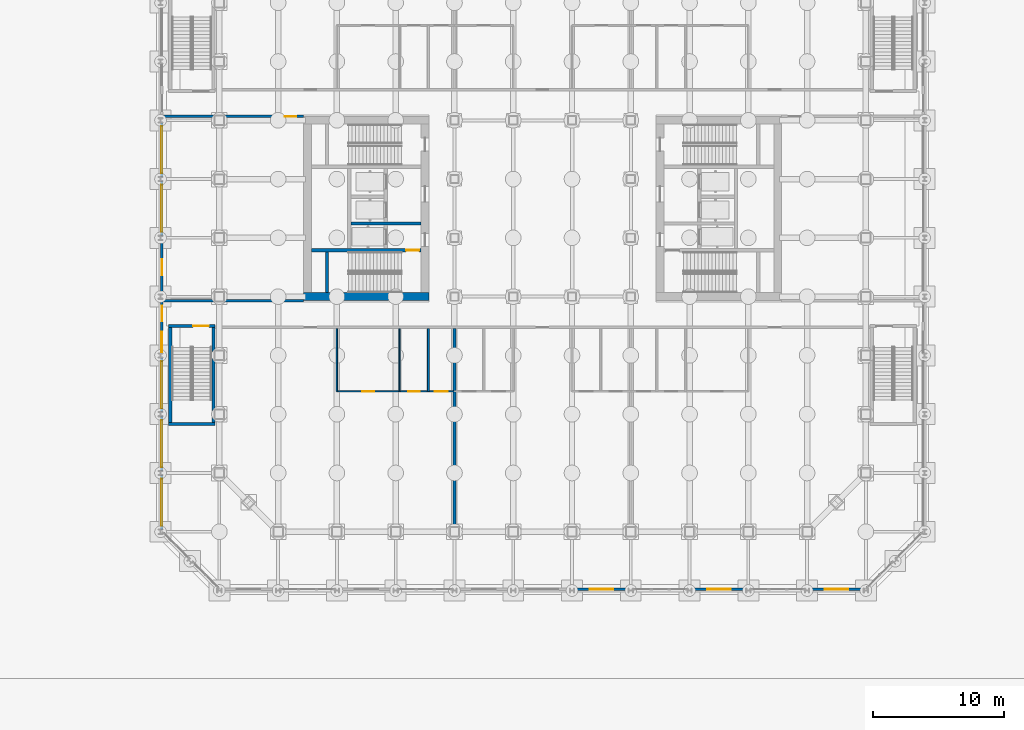
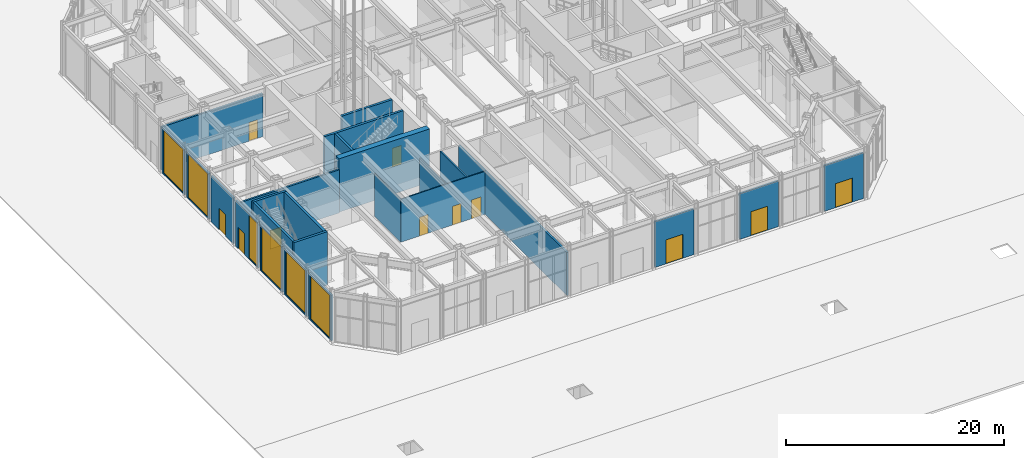
# One storey, part 18 of 39: 25 walls, 11 doors, 6 windows, 17 openings.
"""IFC4 building model written with IfcOpenShell, lengths in metres."""

from ifc_helpers import new_model, si_unit, direction, frame, frame_2d, origin, place, context, subcontext, project, spatial, rectangle, extrude, material, layer, layer_set, type_object, element, fill, save


model = new_model("IFC4")

# Units and contexts
model_context = context("Model", 3, precision=1e-05, world=origin(), true_north=direction((0.0, 1.0)))
body_context = subcontext(model_context, "Body", "Model", "MODEL_VIEW")
ifc_project = project(units=[si_unit("LENGTHUNIT", "METRE"), si_unit("AREAUNIT", "SQUARE_METRE"), si_unit("VOLUMEUNIT", "CUBIC_METRE"), si_unit("PLANEANGLEUNIT", "RADIAN"), si_unit("MASSUNIT", "GRAM", prefix="KILO")], contexts=[model_context])

# Site, building, storey
site_placement = place(None, origin())
site = spatial("IfcSite", under=ifc_project, at=site_placement, CompositionType="ELEMENT")
building_placement = place(site_placement, origin())
building = spatial("IfcBuilding", under=site, at=building_placement, Name="Msasa Ring Tower", CompositionType="ELEMENT")
storey_placement = place(building_placement, origin())
storey = spatial("IfcBuildingStorey", under=building, at=storey_placement, Name="L00", CompositionType="ELEMENT", Elevation=0.0)

# Wall
ifc_material_1 = material(Name="Concrete C60/75", Category="concrete")
ifc_layer_1 = layer(ifc_material_1, 0.60009765625)
ifc_layer_set_1 = layer_set([ifc_layer_1], Name="CW1 CORE WALL 600")
wall_type_1 = type_object("IfcWallType", Name="CW1 CORE WALL 600", PredefinedType="SHEAR", material=ifc_layer_set_1)
wall_1_placement = place(storey_placement, frame((-8.699951171875, -6.75, 0.0), z_axis=(0.0, 0.0, 1.0), x_axis=(-1.0, 0.0, 0.0)))
element("IfcWall", 1, at=wall_1_placement, inside=storey, type_object=wall_type_1, Name="W core wall S L00", PredefinedType="SHEAR", context=body_context, shape_type="SweptSolid", body=[
    extrude(rectangle(XDim=9.60009765625, YDim=0.60009765625, at=frame_2d((4.800048828125, 0.0))), origin(), (0.0, 0.0, 1.0), 6.0),
])

# Wall, opening, door
ifc_material_2 = material(Name="Concrete C60/75", Category="concrete")
ifc_layer_2 = layer(ifc_material_2, 0.25)
ifc_layer_set_2 = layer_set([ifc_layer_2], Name="CW4 CORE INNER WALL 250")
wall_type_2 = type_object("IfcWallType", Name="CW4 CORE INNER WALL 250", PredefinedType="SHEAR", material=ifc_layer_set_2)
wall_2_placement = place(storey_placement, frame((-9.300048828125, -3.199951171875, 0.0), z_axis=(0.0, 0.0, 1.0), x_axis=(-1.0, 0.0, 0.0)))
wall_2 = element("IfcWall", 2, at=wall_2_placement, inside=storey, type_object=wall_type_2, Name="W core wall STAIRA L00", PredefinedType="SHEAR", context=body_context, shape_type="SweptSolid", body=[
    extrude(rectangle(XDim=8.39990234375, YDim=0.25, at=frame_2d((4.199951171875, 0.0))), origin(), (0.0, 0.0, 1.0), 6.0),
])
opening_1_placement = place(wall_2_placement, frame((0.14990234375, 0.0, 0.0)))
opening_1 = element("IfcOpeningElement", 3, at=opening_1_placement, cuts=wall_2, Name="Opening L00-032", PredefinedType="OPENING", context=body_context, shape_type="SweptSolid", body=[
    extrude(rectangle(XDim=1.0, YDim=2.10009765625, at=frame_2d((0.5, 1.050048828125))), frame((0.0, 0.135009765625, 0.0), z_axis=(0.0, -1.0, 0.0), x_axis=(1.0, 0.0, 0.0)), (0.0, 0.0, 1.0), 0.27001953125),
])
ifc_material_3 = material(Name="Timber door leaf in a steel frame", Category="steel")
door_type_1 = type_object("IfcDoorType", Name="D6 STAIR DOOR 1000x2100", OperationType="SINGLE_SWING_LEFT", PredefinedType="DOOR", material=ifc_material_3)
door_1_placement = place(opening_1_placement, origin())
door_1 = element("IfcDoor", 4, at=door_1_placement, inside=storey, type_object=door_type_1, Name="Door L00-WSTA", OperationType="SINGLE_SWING_LEFT", OverallHeight=2.10009765625, OverallWidth=1.0, PredefinedType="DOOR", context=body_context, shape_type="SweptSolid", body=[
    extrude(rectangle(XDim=1.0, YDim=2.10009765625, at=frame_2d((0.5, 1.050048828125))), frame((0.0, 0.02490234375, 0.0), z_axis=(0.0, -1.0, 0.0), x_axis=(1.0, 0.0, 0.0)), (0.0, 0.0, 1.0), 0.050048828125),
])
fill(opening_1, door_1)

# Walls
wall_3_placement = place(storey_placement, frame((-16.5, -6.449951171875, 0.0), z_axis=(0.0, 0.0, 1.0), x_axis=(0.0, 1.0, 0.0)))
element("IfcWall", 5, at=wall_3_placement, inside=storey, type_object=wall_type_2, Name="W core wall RISERA L00", PredefinedType="SHEAR", context=body_context, shape_type="SweptSolid", body=[
    extrude(rectangle(XDim=3.125, YDim=0.25, at=frame_2d((1.5625, 0.0))), origin(), (0.0, 0.0, 1.0), 6.0),
])
wall_4_placement = place(storey_placement, frame((-9.300048828125, -1.14990234375, 0.0), z_axis=(0.0, 0.0, 1.0), x_axis=(-1.0, 0.0, 0.0)))
element("IfcWall", 6, at=wall_4_placement, inside=storey, type_object=wall_type_2, Name="W core wall FFL L00", PredefinedType="SHEAR", context=body_context, shape_type="SweptSolid", body=[
    extrude(rectangle(XDim=5.375, YDim=0.25, at=frame_2d((2.6875, 0.0))), origin(), (0.0, 0.0, 1.0), 6.0),
])

# Wall, opening, door
ifc_material_4 = material(Name="Terracotta rainscreen on blockwork", Category="masonry")
ifc_layer_3 = layer(ifc_material_4, 0.199951171875)
ifc_layer_set_3 = layer_set([ifc_layer_3], Name="FW2 TERRACOTTA PODIUM BAY WALL 200")
wall_type_3 = type_object("IfcWallType", Name="FW2 TERRACOTTA PODIUM BAY WALL 200", PredefinedType="SOLIDWALL", material=ifc_layer_set_3)
wall_5_placement = place(storey_placement, frame((2.437744140625, -29.14990234375, 0.0), z_axis=(0.0, 0.0, 1.0), x_axis=(1.0, 0.0, 0.0)))
wall_5 = element("IfcWall", 7, at=wall_5_placement, inside=storey, type_object=wall_type_3, Name="Podium bay wall S L00 06", PredefinedType="SOLIDWALL", context=body_context, shape_type="SweptSolid", body=[
    extrude(rectangle(XDim=4.124755859375, YDim=0.199951171875, at=frame_2d((2.0625, 0.0))), origin(), (0.0, 0.0, 1.0), 5.1328125),
])
opening_2_placement = place(wall_5_placement, frame((1.162353515625, 0.0, 0.0)))
opening_2 = element("IfcOpeningElement", 8, at=opening_2_placement, cuts=wall_5, Name="Opening L00-056", PredefinedType="OPENING", context=body_context, shape_type="SweptSolid", body=[
    extrude(rectangle(XDim=1.800048828125, YDim=2.699951171875, at=frame_2d((0.89990234375, 1.35009765625))), frame((0.0, 0.10986328125, 0.0), z_axis=(0.0, -1.0, 0.0), x_axis=(1.0, 0.0, 0.0)), (0.0, 0.0, 1.0), 0.219970703125),
])
ifc_material_5 = material(Name="Aluminium frame with clear glass", Category="aluminium")
door_type_2 = type_object("IfcDoorType", Name="ED11 EXTERNAL LOBBY ENTRANCE DOOR 1800x2700", OperationType="DOUBLE_DOOR_SINGLE_SWING", PredefinedType="DOOR", material=ifc_material_5)
door_2_placement = place(opening_2_placement, origin())
door_2 = element("IfcDoor", 9, at=door_2_placement, inside=storey, type_object=door_type_2, Name="External lobby entrance door S L00", OperationType="DOUBLE_DOOR_SINGLE_SWING", OverallHeight=2.699951171875, OverallWidth=1.800048828125, PredefinedType="DOOR", context=body_context, shape_type="SweptSolid", body=[
    extrude(rectangle(XDim=1.800048828125, YDim=2.699951171875, at=frame_2d((0.89990234375, 1.35009765625))), frame((0.0, 0.02490234375, 0.0), z_axis=(0.0, -1.0, 0.0), x_axis=(1.0, 0.0, 0.0)), (0.0, 0.0, 1.0), 0.050048828125),
])
fill(opening_2, door_2)

wall_6_placement = place(storey_placement, frame((11.4375, -29.14990234375, 0.0), z_axis=(0.0, 0.0, 1.0), x_axis=(1.0, 0.0, 0.0)))
wall_6 = element("IfcWall", 10, at=wall_6_placement, inside=storey, type_object=wall_type_3, Name="Podium bay wall S L00 08", PredefinedType="SOLIDWALL", context=body_context, shape_type="SweptSolid", body=[
    extrude(rectangle(XDim=4.125, YDim=0.199951171875, at=frame_2d((2.0625, 0.0))), origin(), (0.0, 0.0, 1.0), 5.1328125),
])
opening_3_placement = place(wall_6_placement, frame((1.162353515625, 0.0, 0.0)))
opening_3 = element("IfcOpeningElement", 11, at=opening_3_placement, cuts=wall_6, Name="Opening L00-057", PredefinedType="OPENING", context=body_context, shape_type="SweptSolid", body=[
    extrude(rectangle(XDim=1.800048828125, YDim=2.699951171875, at=frame_2d((0.89990234375, 1.35009765625))), frame((0.0, 0.10986328125, 0.0), z_axis=(0.0, -1.0, 0.0), x_axis=(1.0, 0.0, 0.0)), (0.0, 0.0, 1.0), 0.219970703125),
])
ifc_material_6 = material(Name="Aluminium frame with clear glass", Category="aluminium")
door_type_3 = type_object("IfcDoorType", Name="ED6 RETAIL ENTRANCE DOOR 1800x2700", OperationType="DOUBLE_DOOR_SINGLE_SWING", PredefinedType="DOOR", material=ifc_material_6)
door_3_placement = place(opening_3_placement, origin())
door_3 = element("IfcDoor", 12, at=door_3_placement, inside=storey, type_object=door_type_3, Name="Retail entrance door S L00", OperationType="DOUBLE_DOOR_SINGLE_SWING", OverallHeight=2.699951171875, OverallWidth=1.800048828125, PredefinedType="DOOR", context=body_context, shape_type="SweptSolid", body=[
    extrude(rectangle(XDim=1.800048828125, YDim=2.699951171875, at=frame_2d((0.89990234375, 1.35009765625))), frame((0.0, 0.02490234375, 0.0), z_axis=(0.0, -1.0, 0.0), x_axis=(1.0, 0.0, 0.0)), (0.0, 0.0, 1.0), 0.050048828125),
])
fill(opening_3, door_3)

wall_7_placement = place(storey_placement, frame((20.437744140625, -29.14990234375, 0.0), z_axis=(0.0, 0.0, 1.0), x_axis=(1.0, 0.0, 0.0)))
wall_7 = element("IfcWall", 13, at=wall_7_placement, inside=storey, type_object=wall_type_3, Name="Podium bay wall S L00 10", PredefinedType="SOLIDWALL", context=body_context, shape_type="SweptSolid", body=[
    extrude(rectangle(XDim=4.12451171875, YDim=0.199951171875, at=frame_2d((2.062255859375, 0.0))), origin(), (0.0, 0.0, 1.0), 5.1328125),
])
opening_4_placement = place(wall_7_placement, frame((1.162353515625, 0.0, 0.0)))
opening_4 = element("IfcOpeningElement", 14, at=opening_4_placement, cuts=wall_7, Name="Opening L00-058", PredefinedType="OPENING", context=body_context, shape_type="SweptSolid", body=[
    extrude(rectangle(XDim=1.800048828125, YDim=2.699951171875, at=frame_2d((0.89990234375, 1.35009765625))), frame((0.0, 0.10986328125, 0.0), z_axis=(0.0, -1.0, 0.0), x_axis=(1.0, 0.0, 0.0)), (0.0, 0.0, 1.0), 0.219970703125),
])
door_4_placement = place(opening_4_placement, origin())
door_4 = element("IfcDoor", 15, at=door_4_placement, inside=storey, type_object=door_type_3, Name="Retail entrance door S L00", OperationType="DOUBLE_DOOR_SINGLE_SWING", OverallHeight=2.699951171875, OverallWidth=1.800048828125, PredefinedType="DOOR", context=body_context, shape_type="SweptSolid", body=[
    extrude(rectangle(XDim=1.800048828125, YDim=2.699951171875, at=frame_2d((0.89990234375, 1.35009765625))), frame((0.0, 0.02490234375, 0.0), z_axis=(0.0, -1.0, 0.0), x_axis=(1.0, 0.0, 0.0)), (0.0, 0.0, 1.0), 0.050048828125),
])
fill(opening_4, door_4)

# Wall, opening, window
wall_8_placement = place(storey_placement, frame((-29.14990234375, -24.562255859375, 0.0), z_axis=(0.0, 0.0, 1.0), x_axis=(0.0, 1.0, 0.0)))
wall_8 = element("IfcWall", 16, at=wall_8_placement, inside=storey, type_object=wall_type_3, Name="Podium bay wall W L00 39", PredefinedType="SOLIDWALL", context=body_context, shape_type="SweptSolid", body=[
    extrude(rectangle(XDim=4.12451171875, YDim=0.199951171875, at=frame_2d((2.062255859375, 0.0))), origin(), (0.0, 0.0, 1.0), 5.1328125),
])
opening_5_placement = place(wall_8_placement, frame((0.26220703125, 0.0, 0.14990234375)))
opening_5 = element("IfcOpeningElement", 17, at=opening_5_placement, cuts=wall_8, Name="Opening SF1", PredefinedType="OPENING", context=body_context, shape_type="SweptSolid", body=[
    extrude(rectangle(XDim=3.60009765625, YDim=4.8330078125, at=frame_2d((1.800048828125, 2.41650390625))), frame((0.0, 0.10986328125, 0.0), z_axis=(0.0, -1.0, 0.0), x_axis=(1.0, 0.0, 0.0)), (0.0, 0.0, 1.0), 0.219970703125),
])
ifc_material_7 = material(Name="Aluminium frame with clear glass", Category="aluminium")
window_type_1 = type_object("IfcWindowType", Name="SF1 SHOPFRONT GLAZING 3600x4833", PartitioningType="SINGLE_PANEL", PredefinedType="WINDOW", material=ifc_material_7)
window_1_placement = place(opening_5_placement, origin())
window_1 = element("IfcWindow", 18, at=window_1_placement, inside=storey, type_object=window_type_1, Name="Shopfront glazing W L00 39", OverallHeight=4.8330078125, OverallWidth=3.60009765625, PartitioningType="SINGLE_PANEL", PredefinedType="WINDOW", context=body_context, shape_type="SweptSolid", body=[
    extrude(rectangle(XDim=3.60009765625, YDim=4.8330078125, at=frame_2d((1.800048828125, 2.41650390625))), frame((0.0, 0.030029296875, 0.0), z_axis=(0.0, -1.0, 0.0), x_axis=(1.0, 0.0, 0.0)), (0.0, 0.0, 1.0), 0.06005859375),
])
fill(opening_5, window_1)

wall_9_placement = place(storey_placement, frame((-29.14990234375, -20.062255859375, 0.0), z_axis=(0.0, 0.0, 1.0), x_axis=(0.0, 1.0, 0.0)))
wall_9 = element("IfcWall", 19, at=wall_9_placement, inside=storey, type_object=wall_type_3, Name="Podium bay wall W L00 40", PredefinedType="SOLIDWALL", context=body_context, shape_type="SweptSolid", body=[
    extrude(rectangle(XDim=4.124755859375, YDim=0.199951171875, at=frame_2d((2.0625, 0.0))), origin(), (0.0, 0.0, 1.0), 5.1328125),
])
opening_6_placement = place(wall_9_placement, frame((0.26220703125, 0.0, 0.14990234375)))
opening_6 = element("IfcOpeningElement", 20, at=opening_6_placement, cuts=wall_9, Name="Opening SF1", PredefinedType="OPENING", context=body_context, shape_type="SweptSolid", body=[
    extrude(rectangle(XDim=3.60009765625, YDim=4.8330078125, at=frame_2d((1.800048828125, 2.41650390625))), frame((0.0, 0.10986328125, 0.0), z_axis=(0.0, -1.0, 0.0), x_axis=(1.0, 0.0, 0.0)), (0.0, 0.0, 1.0), 0.219970703125),
])
window_2_placement = place(opening_6_placement, origin())
window_2 = element("IfcWindow", 21, at=window_2_placement, inside=storey, type_object=window_type_1, Name="Shopfront glazing W L00 40", OverallHeight=4.8330078125, OverallWidth=3.60009765625, PartitioningType="SINGLE_PANEL", PredefinedType="WINDOW", context=body_context, shape_type="SweptSolid", body=[
    extrude(rectangle(XDim=3.60009765625, YDim=4.8330078125, at=frame_2d((1.800048828125, 2.41650390625))), frame((0.0, 0.030029296875, 0.0), z_axis=(0.0, -1.0, 0.0), x_axis=(1.0, 0.0, 0.0)), (0.0, 0.0, 1.0), 0.06005859375),
])
fill(opening_6, window_2)

wall_10_placement = place(storey_placement, frame((-29.14990234375, -15.5625, 0.0), z_axis=(0.0, 0.0, 1.0), x_axis=(0.0, 1.0, 0.0)))
wall_10 = element("IfcWall", 22, at=wall_10_placement, inside=storey, type_object=wall_type_3, Name="Podium bay wall W L00 41", PredefinedType="SOLIDWALL", context=body_context, shape_type="SweptSolid", body=[
    extrude(rectangle(XDim=4.125, YDim=0.199951171875, at=frame_2d((2.0625, 0.0))), origin(), (0.0, 0.0, 1.0), 5.1328125),
])
opening_7_placement = place(wall_10_placement, frame((0.262451171875, 0.0, 0.14990234375)))
opening_7 = element("IfcOpeningElement", 23, at=opening_7_placement, cuts=wall_10, Name="Opening SF1", PredefinedType="OPENING", context=body_context, shape_type="SweptSolid", body=[
    extrude(rectangle(XDim=3.60009765625, YDim=4.8330078125, at=frame_2d((1.800048828125, 2.41650390625))), frame((0.0, 0.10986328125, 0.0), z_axis=(0.0, -1.0, 0.0), x_axis=(1.0, 0.0, 0.0)), (0.0, 0.0, 1.0), 0.219970703125),
])
window_3_placement = place(opening_7_placement, origin())
window_3 = element("IfcWindow", 24, at=window_3_placement, inside=storey, type_object=window_type_1, Name="Shopfront glazing W L00 41", OverallHeight=4.8330078125, OverallWidth=3.60009765625, PartitioningType="SINGLE_PANEL", PredefinedType="WINDOW", context=body_context, shape_type="SweptSolid", body=[
    extrude(rectangle(XDim=3.60009765625, YDim=4.8330078125, at=frame_2d((1.800048828125, 2.41650390625))), frame((0.0, 0.030029296875, 0.0), z_axis=(0.0, -1.0, 0.0), x_axis=(1.0, 0.0, 0.0)), (0.0, 0.0, 1.0), 0.06005859375),
])
fill(opening_7, window_3)

# Wall, openings, door, window
wall_11_placement = place(storey_placement, frame((-29.14990234375, -11.0625, 0.0), z_axis=(0.0, 0.0, 1.0), x_axis=(0.0, 1.0, 0.0)))
wall_11 = element("IfcWall", 25, at=wall_11_placement, inside=storey, type_object=wall_type_3, Name="Podium bay wall W L00 42", PredefinedType="SOLIDWALL", context=body_context, shape_type="SweptSolid", body=[
    extrude(rectangle(XDim=4.125, YDim=0.199951171875, at=frame_2d((2.0625, 0.0))), origin(), (0.0, 0.0, 1.0), 5.1328125),
])
opening_8_placement = place(wall_11_placement, frame((2.412353515625, 0.0, 0.0)))
opening_8 = element("IfcOpeningElement", 26, at=opening_8_placement, cuts=wall_11, Name="Opening L00-035", PredefinedType="OPENING", context=body_context, shape_type="SweptSolid", body=[
    extrude(rectangle(XDim=1.199951171875, YDim=2.39990234375, at=frame_2d((0.60009765625, 1.199951171875))), frame((0.0, 0.10986328125, 0.0), z_axis=(0.0, -1.0, 0.0), x_axis=(1.0, 0.0, 0.0)), (0.0, 0.0, 1.0), 0.219970703125),
])
opening_9_placement = place(wall_11_placement, frame((0.012451171875, 0.0, 0.14990234375)))
opening_9 = element("IfcOpeningElement", 27, at=opening_9_placement, cuts=wall_11, Name="Opening SF5", PredefinedType="OPENING", context=body_context, shape_type="SweptSolid", body=[
    extrude(rectangle(XDim=1.60009765625, YDim=4.8330078125, at=frame_2d((0.800048828125, 2.41650390625))), frame((0.0, 0.10986328125, 0.0), z_axis=(0.0, -1.0, 0.0), x_axis=(1.0, 0.0, 0.0)), (0.0, 0.0, 1.0), 0.219970703125),
])
ifc_material_8 = material(Name="Aluminium frame with clear glass", Category="aluminium")
door_type_4 = type_object("IfcDoorType", Name="ED8 EXIT DOOR 1200x2400", OperationType="SINGLE_SWING_LEFT", PredefinedType="DOOR", material=ifc_material_8)
door_5_placement = place(opening_8_placement, origin())
door_5 = element("IfcDoor", 28, at=door_5_placement, inside=storey, type_object=door_type_4, Name="Exit door W L00", OperationType="SINGLE_SWING_RIGHT", OverallHeight=2.39990234375, OverallWidth=1.199951171875, PredefinedType="DOOR", context=body_context, shape_type="SweptSolid", body=[
    extrude(rectangle(XDim=1.199951171875, YDim=2.39990234375, at=frame_2d((0.60009765625, 1.199951171875))), frame((0.0, 0.02490234375, 0.0), z_axis=(0.0, -1.0, 0.0), x_axis=(1.0, 0.0, 0.0)), (0.0, 0.0, 1.0), 0.050048828125),
])
fill(opening_8, door_5)
ifc_material_9 = material(Name="Aluminium frame with clear glass", Category="aluminium")
window_type_2 = type_object("IfcWindowType", Name="SF5 SHOPFRONT SIDE GLAZING 1600x4833", PartitioningType="SINGLE_PANEL", PredefinedType="WINDOW", material=ifc_material_9)
window_4_placement = place(opening_9_placement, origin())
window_4 = element("IfcWindow", 29, at=window_4_placement, inside=storey, type_object=window_type_2, Name="Shopfront glazing W L00 42", OverallHeight=4.8330078125, OverallWidth=1.60009765625, PartitioningType="SINGLE_PANEL", PredefinedType="WINDOW", context=body_context, shape_type="SweptSolid", body=[
    extrude(rectangle(XDim=1.60009765625, YDim=4.8330078125, at=frame_2d((0.800048828125, 2.41650390625))), frame((0.0, 0.030029296875, 0.0), z_axis=(0.0, -1.0, 0.0), x_axis=(1.0, 0.0, 0.0)), (0.0, 0.0, 1.0), 0.06005859375),
])
fill(opening_9, window_4)

# Wall, opening, door
wall_12_placement = place(storey_placement, frame((-29.14990234375, -6.5625, 0.0), z_axis=(0.0, 0.0, 1.0), x_axis=(0.0, 1.0, 0.0)))
wall_12 = element("IfcWall", 30, at=wall_12_placement, inside=storey, type_object=wall_type_3, Name="Podium bay wall W L00 43", PredefinedType="SOLIDWALL", context=body_context, shape_type="SweptSolid", body=[
    extrude(rectangle(XDim=4.124755859375, YDim=0.199951171875, at=frame_2d((2.0625, 0.0))), origin(), (0.0, 0.0, 1.0), 5.1328125),
])
opening_10_placement = place(wall_12_placement, frame((1.46240234375, 0.0, 0.0)))
opening_10 = element("IfcOpeningElement", 31, at=opening_10_placement, cuts=wall_12, Name="Opening L00-034", PredefinedType="OPENING", context=body_context, shape_type="SweptSolid", body=[
    extrude(rectangle(XDim=1.199951171875, YDim=2.39990234375, at=frame_2d((0.60009765625, 1.199951171875))), frame((0.0, 0.10986328125, 0.0), z_axis=(0.0, -1.0, 0.0), x_axis=(1.0, 0.0, 0.0)), (0.0, 0.0, 1.0), 0.219970703125),
])
ifc_material_10 = material(Name="Aluminium frame with clear glass", Category="aluminium")
door_type_5 = type_object("IfcDoorType", Name="ED9 EXTERNAL FIRE SERVICE ENTRANCE DOOR 1200x2400", OperationType="SINGLE_SWING_LEFT", PredefinedType="DOOR", material=ifc_material_10)
door_6_placement = place(opening_10_placement, origin())
door_6 = element("IfcDoor", 32, at=door_6_placement, inside=storey, type_object=door_type_5, Name="External fire service entrance door W L00", OperationType="SINGLE_SWING_LEFT", OverallHeight=2.39990234375, OverallWidth=1.199951171875, PredefinedType="DOOR", context=body_context, shape_type="SweptSolid", body=[
    extrude(rectangle(XDim=1.199951171875, YDim=2.39990234375, at=frame_2d((0.60009765625, 1.199951171875))), frame((0.0, 0.02490234375, 0.0), z_axis=(0.0, -1.0, 0.0), x_axis=(1.0, 0.0, 0.0)), (0.0, 0.0, 1.0), 0.050048828125),
])
fill(opening_10, door_6)

# Wall, opening, window
wall_13_placement = place(storey_placement, frame((-29.14990234375, -2.062255859375, 0.0), z_axis=(0.0, 0.0, 1.0), x_axis=(0.0, 1.0, 0.0)))
wall_13 = element("IfcWall", 33, at=wall_13_placement, inside=storey, type_object=wall_type_3, Name="Podium bay wall W L00 44", PredefinedType="SOLIDWALL", context=body_context, shape_type="SweptSolid", body=[
    extrude(rectangle(XDim=4.12451171875, YDim=0.199951171875, at=frame_2d((2.062255859375, 0.0))), origin(), (0.0, 0.0, 1.0), 5.1328125),
])
opening_11_placement = place(wall_13_placement, frame((0.26220703125, 0.0, 0.14990234375)))
opening_11 = element("IfcOpeningElement", 34, at=opening_11_placement, cuts=wall_13, Name="Opening SF1", PredefinedType="OPENING", context=body_context, shape_type="SweptSolid", body=[
    extrude(rectangle(XDim=3.60009765625, YDim=4.8330078125, at=frame_2d((1.800048828125, 2.41650390625))), frame((0.0, 0.10986328125, 0.0), z_axis=(0.0, -1.0, 0.0), x_axis=(1.0, 0.0, 0.0)), (0.0, 0.0, 1.0), 0.219970703125),
])
window_5_placement = place(opening_11_placement, origin())
window_5 = element("IfcWindow", 35, at=window_5_placement, inside=storey, type_object=window_type_1, Name="Shopfront glazing W L00 44", OverallHeight=4.8330078125, OverallWidth=3.60009765625, PartitioningType="SINGLE_PANEL", PredefinedType="WINDOW", context=body_context, shape_type="SweptSolid", body=[
    extrude(rectangle(XDim=3.60009765625, YDim=4.8330078125, at=frame_2d((1.800048828125, 2.41650390625))), frame((0.0, 0.030029296875, 0.0), z_axis=(0.0, -1.0, 0.0), x_axis=(1.0, 0.0, 0.0)), (0.0, 0.0, 1.0), 0.06005859375),
])
fill(opening_11, window_5)

wall_14_placement = place(storey_placement, frame((-29.14990234375, 2.437744140625, 0.0), z_axis=(0.0, 0.0, 1.0), x_axis=(0.0, 1.0, 0.0)))
wall_14 = element("IfcWall", 36, at=wall_14_placement, inside=storey, type_object=wall_type_3, Name="Podium bay wall W L00 45", PredefinedType="SOLIDWALL", context=body_context, shape_type="SweptSolid", body=[
    extrude(rectangle(XDim=4.124755859375, YDim=0.199951171875, at=frame_2d((2.0625, 0.0))), origin(), (0.0, 0.0, 1.0), 5.1328125),
])
opening_12_placement = place(wall_14_placement, frame((0.26220703125, 0.0, 0.14990234375)))
opening_12 = element("IfcOpeningElement", 37, at=opening_12_placement, cuts=wall_14, Name="Opening SF1", PredefinedType="OPENING", context=body_context, shape_type="SweptSolid", body=[
    extrude(rectangle(XDim=3.60009765625, YDim=4.8330078125, at=frame_2d((1.800048828125, 2.41650390625))), frame((0.0, 0.10986328125, 0.0), z_axis=(0.0, -1.0, 0.0), x_axis=(1.0, 0.0, 0.0)), (0.0, 0.0, 1.0), 0.219970703125),
])
window_6_placement = place(opening_12_placement, origin())
window_6 = element("IfcWindow", 38, at=window_6_placement, inside=storey, type_object=window_type_1, Name="Shopfront glazing W L00 45", OverallHeight=4.8330078125, OverallWidth=3.60009765625, PartitioningType="SINGLE_PANEL", PredefinedType="WINDOW", context=body_context, shape_type="SweptSolid", body=[
    extrude(rectangle(XDim=3.60009765625, YDim=4.8330078125, at=frame_2d((1.800048828125, 2.41650390625))), frame((0.0, 0.030029296875, 0.0), z_axis=(0.0, -1.0, 0.0), x_axis=(1.0, 0.0, 0.0)), (0.0, 0.0, 1.0), 0.06005859375),
])
fill(opening_12, window_6)

# Wall, opening, door
ifc_material_11 = material(Name="Concrete blockwork", Category="masonry")
ifc_layer_4 = layer(ifc_material_11, 0.199951171875)
ifc_layer_set_4 = layer_set([ifc_layer_4], Name="PT1 CORRIDOR WALL 200")
wall_type_4 = type_object("IfcWallType", Name="PT1 CORRIDOR WALL 200", PredefinedType="PARTITIONING", material=ifc_layer_set_4)
wall_15_placement = place(storey_placement, frame((-29.050048828125, 7.050048828125, 0.0), z_axis=(0.0, 0.0, 1.0), x_axis=(1.0, 0.0, 0.0)))
wall_15 = element("IfcWall", 39, at=wall_15_placement, inside=storey, type_object=wall_type_4, Name="Corridor wall L00-STRWN", PredefinedType="PARTITIONING", context=body_context, shape_type="SweptSolid", body=[
    extrude(rectangle(XDim=10.75, YDim=0.199951171875, at=frame_2d((5.375, 0.0))), origin(), (0.0, 0.0, 1.0), 4.8291015625),
])
opening_13_placement = place(wall_15_placement, frame((9.300048828125, 0.0, 0.0)))
opening_13 = element("IfcOpeningElement", 40, at=opening_13_placement, cuts=wall_15, Name="Opening L00-023", PredefinedType="OPENING", context=body_context, shape_type="SweptSolid", body=[
    extrude(rectangle(XDim=0.89990234375, YDim=2.10009765625, at=frame_2d((0.449951171875, 1.050048828125))), frame((0.0, 0.10986328125, 0.0), z_axis=(0.0, -1.0, 0.0), x_axis=(1.0, 0.0, 0.0)), (0.0, 0.0, 1.0), 0.219970703125),
])
ifc_material_12 = material(Name="Timber door leaf in a steel frame", Category="steel")
door_type_6 = type_object("IfcDoorType", Name="D1 SINGLE DOOR TO CORRIDOR 900x2100", OperationType="SINGLE_SWING_LEFT", PredefinedType="DOOR", material=ifc_material_12)
door_7_placement = place(opening_13_placement, origin())
door_7 = element("IfcDoor", 41, at=door_7_placement, inside=storey, type_object=door_type_6, Name="Door L00-PSW", OperationType="SINGLE_SWING_RIGHT", OverallHeight=2.10009765625, OverallWidth=0.89990234375, PredefinedType="DOOR", context=body_context, shape_type="SweptSolid", body=[
    extrude(rectangle(XDim=0.89990234375, YDim=2.10009765625, at=frame_2d((0.449951171875, 1.050048828125))), frame((0.0, 0.02490234375, 0.0), z_axis=(0.0, -1.0, 0.0), x_axis=(1.0, 0.0, 0.0)), (0.0, 0.0, 1.0), 0.050048828125),
])
fill(opening_13, door_7)

# Wall
wall_16_placement = place(storey_placement, frame((-29.050048828125, -7.050048828125, 0.0), z_axis=(0.0, 0.0, 1.0), x_axis=(1.0, 0.0, 0.0)))
element("IfcWall", 42, at=wall_16_placement, inside=storey, type_object=wall_type_4, Name="Corridor wall L00-STRWS", PredefinedType="PARTITIONING", context=body_context, shape_type="SweptSolid", body=[
    extrude(rectangle(XDim=10.75, YDim=0.199951171875, at=frame_2d((5.375, 0.0))), origin(), (0.0, 0.0, 1.0), 4.8291015625),
])

# Wall, openings, doors
ifc_material_13 = material(Name="Gypsum board on steel studs", Category="steel")
ifc_layer_5 = layer(ifc_material_13, 0.10009765625)
ifc_layer_set_5 = layer_set([ifc_layer_5], Name="PT2 STUD PARTITION 100")
wall_type_5 = type_object("IfcWallType", Name="PT2 STUD PARTITION 100", PredefinedType="PARTITIONING", material=ifc_layer_set_5)
wall_17_placement = place(storey_placement, frame((-15.75, -14.0, 0.0), z_axis=(0.0, 0.0, 1.0), x_axis=(1.0, 0.0, 0.0)))
wall_17 = element("IfcWall", 43, at=wall_17_placement, inside=storey, type_object=wall_type_5, Name="Partition L00-PDS0BY", PredefinedType="PARTITIONING", context=body_context, shape_type="SweptSolid", body=[
    extrude(rectangle(XDim=9.0, YDim=0.10009765625, at=frame_2d((4.5, 0.0))), origin(), (0.0, 0.0, 1.0), 4.8291015625),
])
opening_14_placement = place(wall_17_placement, frame((1.949951171875, 0.0, 0.0)))
opening_14 = element("IfcOpeningElement", 44, at=opening_14_placement, cuts=wall_17, Name="Opening L00-042", PredefinedType="OPENING", context=body_context, shape_type="SweptSolid", body=[
    extrude(rectangle(XDim=0.89990234375, YDim=2.10009765625, at=frame_2d((0.449951171875, 1.050048828125))), frame((0.0, 0.06005859375, 0.0), z_axis=(0.0, -1.0, 0.0), x_axis=(1.0, 0.0, 0.0)), (0.0, 0.0, 1.0), 0.1201171875),
])
opening_15_placement = place(wall_17_placement, frame((5.449951171875, 0.0, 0.0)))
opening_15 = element("IfcOpeningElement", 45, at=opening_15_placement, cuts=wall_17, Name="Opening L00-043", PredefinedType="OPENING", context=body_context, shape_type="SweptSolid", body=[
    extrude(rectangle(XDim=0.89990234375, YDim=2.10009765625, at=frame_2d((0.449951171875, 1.050048828125))), frame((0.0, 0.06005859375, 0.0), z_axis=(0.0, -1.0, 0.0), x_axis=(1.0, 0.0, 0.0)), (0.0, 0.0, 1.0), 0.1201171875),
])
opening_16_placement = place(wall_17_placement, frame((7.5, 0.0, 0.0)))
opening_16 = element("IfcOpeningElement", 46, at=opening_16_placement, cuts=wall_17, Name="Opening L00-044", PredefinedType="OPENING", context=body_context, shape_type="SweptSolid", body=[
    extrude(rectangle(XDim=1.0, YDim=2.10009765625, at=frame_2d((0.5, 1.050048828125))), frame((0.0, 0.06005859375, 0.0), z_axis=(0.0, -1.0, 0.0), x_axis=(1.0, 0.0, 0.0)), (0.0, 0.0, 1.0), 0.1201171875),
])
ifc_material_14 = material(Name="Timber door leaf in a steel frame", Category="steel")
door_type_7 = type_object("IfcDoorType", Name="D12 WC DOOR 1000x2100", OperationType="SINGLE_SWING_LEFT", PredefinedType="DOOR", material=ifc_material_14)
door_8_placement = place(opening_16_placement, origin())
door_8 = element("IfcDoor", 47, at=door_8_placement, inside=storey, type_object=door_type_7, Name="Door L00-PDS0B2", OperationType="SINGLE_SWING_RIGHT", OverallHeight=2.10009765625, OverallWidth=1.0, PredefinedType="DOOR", context=body_context, shape_type="SweptSolid", body=[
    extrude(rectangle(XDim=1.0, YDim=2.10009765625, at=frame_2d((0.5, 1.050048828125))), frame((0.0, 0.02490234375, 0.0), z_axis=(0.0, -1.0, 0.0), x_axis=(1.0, 0.0, 0.0)), (0.0, 0.0, 1.0), 0.050048828125),
])
fill(opening_16, door_8)
ifc_material_15 = material(Name="Timber door leaf in a steel frame", Category="steel")
door_type_8 = type_object("IfcDoorType", Name="D22 INTERNAL HALL DOOR 900x2100", OperationType="SINGLE_SWING_LEFT", PredefinedType="DOOR", material=ifc_material_15)
door_9_placement = place(opening_14_placement, origin())
door_9 = element("IfcDoor", 48, at=door_9_placement, inside=storey, type_object=door_type_8, Name="Door L00-PDS0B0", OperationType="SINGLE_SWING_LEFT", OverallHeight=2.10009765625, OverallWidth=0.89990234375, PredefinedType="DOOR", context=body_context, shape_type="SweptSolid", body=[
    extrude(rectangle(XDim=0.89990234375, YDim=2.10009765625, at=frame_2d((0.449951171875, 1.050048828125))), frame((0.0, 0.02490234375, 0.0), z_axis=(0.0, -1.0, 0.0), x_axis=(1.0, 0.0, 0.0)), (0.0, 0.0, 1.0), 0.050048828125),
])
fill(opening_14, door_9)
door_10_placement = place(opening_15_placement, origin())
door_10 = element("IfcDoor", 49, at=door_10_placement, inside=storey, type_object=door_type_8, Name="Door L00-PDS0B1", OperationType="SINGLE_SWING_RIGHT", OverallHeight=2.10009765625, OverallWidth=0.89990234375, PredefinedType="DOOR", context=body_context, shape_type="SweptSolid", body=[
    extrude(rectangle(XDim=0.89990234375, YDim=2.10009765625, at=frame_2d((0.449951171875, 1.050048828125))), frame((0.0, 0.02490234375, 0.0), z_axis=(0.0, -1.0, 0.0), x_axis=(1.0, 0.0, 0.0)), (0.0, 0.0, 1.0), 0.050048828125),
])
fill(opening_15, door_10)

# Walls
for number, where, z_axis, x_axis, name in (
    (50, (-15.75, -14.0, 0.0), (0.0, 0.0, 1.0), (0.0, 1.0, 0.0), "Partition L00-PDS0BX-15.75"),
    (51, (-10.949951171875, -14.0, 0.0), (0.0, 0.0, 1.0), (0.0, 1.0, 0.0), "Partition L00-PDS0BX-10.95"),
):
    element("IfcWall", number, at=place(storey_placement, frame(where, z_axis=z_axis, x_axis=x_axis)), inside=storey, type_object=wall_type_5, Name=name, PredefinedType="PARTITIONING", context=body_context, shape_type="SweptSolid", body=[
        extrude(rectangle(XDim=4.800048828125, YDim=0.10009765625, at=frame_2d((2.39990234375, 0.0))), origin(), (0.0, 0.0, 1.0), 4.8291015625),
    ])
ifc_material_16 = material(Name="Dense concrete blockwork, plastered both faces", Category="masonry")
ifc_layer_6 = layer(ifc_material_16, 0.25)
ifc_layer_set_6 = layer_set([ifc_layer_6], Name="PT3 APARTMENT SEPARATING WALL 250")
wall_type_6 = type_object("IfcWallType", Name="PT3 APARTMENT SEPARATING WALL 250", PredefinedType="PARTITIONING", material=ifc_layer_set_6)
wall_18_placement = place(storey_placement, frame((-6.75, -29.0888671875, 0.0), z_axis=(0.0, 0.0, 1.0), x_axis=(0.0, 1.0, 0.0)))
element("IfcWall", 52, at=wall_18_placement, inside=storey, type_object=wall_type_6, Name="Party wall L00-PWS-6.75", PredefinedType="PARTITIONING", context=body_context, shape_type="SweptSolid", body=[
    extrude(rectangle(XDim=19.888916015625, YDim=0.199951171875, at=frame_2d((9.9443359375, 0.0))), origin(), (0.0, 0.0, 1.0), 4.8291015625),
])
ifc_material_17 = material(Name="Moisture-resistant board on steel studs with a concealed cistern and pipe void, tiled", Category="steel")
ifc_layer_7 = layer(ifc_material_17, 0.14990234375)
ifc_layer_set_7 = layer_set([ifc_layer_7], Name="PT4 BATHROOM WET WALL 150")
wall_type_7 = type_object("IfcWallType", Name="PT4 BATHROOM WET WALL 150", PredefinedType="PARTITIONING", material=ifc_layer_set_7)
wall_19_placement = place(storey_placement, frame((-8.75, -14.0, 0.0), z_axis=(0.0, 0.0, 1.0), x_axis=(0.0, 1.0, 0.0)))
element("IfcWall", 53, at=wall_19_placement, inside=storey, type_object=wall_type_7, Name="Partition L00-PDS0BX-8.75", PredefinedType="PARTITIONING", context=body_context, shape_type="SweptSolid", body=[
    extrude(rectangle(XDim=4.800048828125, YDim=0.14990234375, at=frame_2d((2.39990234375, 0.0))), origin(), (0.0, 0.0, 1.0), 4.8291015625),
])
ifc_material_18 = material(Name="Concrete C60/75", Category="concrete")
ifc_layer_8 = layer(ifc_material_18, 0.25)
ifc_layer_set_8 = layer_set([ifc_layer_8], Name="SW1 STAIR WALL 250")
wall_type_8 = type_object("IfcWallType", Name="SW1 STAIR WALL 250", PredefinedType="SHEAR", material=ifc_layer_set_8)
wall_20_placement = place(storey_placement, frame((-28.625, -16.5, 0.0), z_axis=(0.0, 0.0, 1.0), x_axis=(1.0, 0.0, 0.0)))
element("IfcWall", 54, at=wall_20_placement, inside=storey, type_object=wall_type_8, Name="Podium stair WS wall S L00", PredefinedType="SHEAR", context=body_context, shape_type="SweptSolid", body=[
    extrude(rectangle(XDim=3.550048828125, YDim=0.25, at=frame_2d((1.77490234375, 0.0))), origin(), (0.0, 0.0, 1.0), 6.0),
])

# Wall, opening, door
wall_21_placement = place(storey_placement, frame((-28.625, -9.0, 0.0), z_axis=(0.0, 0.0, 1.0), x_axis=(1.0, 0.0, 0.0)))
wall_21 = element("IfcWall", 55, at=wall_21_placement, inside=storey, type_object=wall_type_8, Name="Podium stair WS wall N L00", PredefinedType="SHEAR", context=body_context, shape_type="SweptSolid", body=[
    extrude(rectangle(XDim=3.550048828125, YDim=0.25, at=frame_2d((1.77490234375, 0.0))), origin(), (0.0, 0.0, 1.0), 6.0),
])
opening_17_placement = place(wall_21_placement, frame((1.875, 0.0, 0.0)))
opening_17 = element("IfcOpeningElement", 56, at=opening_17_placement, cuts=wall_21, Name="Opening L00-037", PredefinedType="OPENING", context=body_context, shape_type="SweptSolid", body=[
    extrude(rectangle(XDim=1.199951171875, YDim=2.10009765625, at=frame_2d((0.60009765625, 1.050048828125))), frame((0.0, 0.135009765625, 0.0), z_axis=(0.0, -1.0, 0.0), x_axis=(1.0, 0.0, 0.0)), (0.0, 0.0, 1.0), 0.27001953125),
])
ifc_material_19 = material(Name="Timber door leaf in a steel frame", Category="steel")
door_type_9 = type_object("IfcDoorType", Name="D7 WIDE STAIR DOOR 1200x2100", OperationType="SINGLE_SWING_LEFT", PredefinedType="DOOR", material=ifc_material_19)
door_11_placement = place(opening_17_placement, origin())
door_11 = element("IfcDoor", 57, at=door_11_placement, inside=storey, type_object=door_type_9, Name="Door L00-PSTWS", OperationType="SINGLE_SWING_RIGHT", OverallHeight=2.10009765625, OverallWidth=1.199951171875, PredefinedType="DOOR", context=body_context, shape_type="SweptSolid", body=[
    extrude(rectangle(XDim=1.199951171875, YDim=2.10009765625, at=frame_2d((0.60009765625, 1.050048828125))), frame((0.0, 0.02490234375, 0.0), z_axis=(0.0, -1.0, 0.0), x_axis=(1.0, 0.0, 0.0)), (0.0, 0.0, 1.0), 0.050048828125),
])
fill(opening_17, door_11)

# Walls
for number, where, z_axis, x_axis, name in (
    (58, (-28.5, -16.375, 0.0), (0.0, 0.0, 1.0), (0.0, 1.0, 0.0), "Podium stair WS wall W L00"),
    (59, (-25.199951171875, -16.375, 0.0), (0.0, 0.0, 1.0), (0.0, 1.0, 0.0), "Podium stair WS wall E L00"),
):
    element("IfcWall", number, at=place(storey_placement, frame(where, z_axis=z_axis, x_axis=x_axis)), inside=storey, type_object=wall_type_8, Name=name, PredefinedType="SHEAR", context=body_context, shape_type="SweptSolid", body=[
        extrude(rectangle(XDim=7.25, YDim=0.25, at=frame_2d((3.625, 0.0))), origin(), (0.0, 0.0, 1.0), 6.0),
    ])

save(model, "model.ifc")
